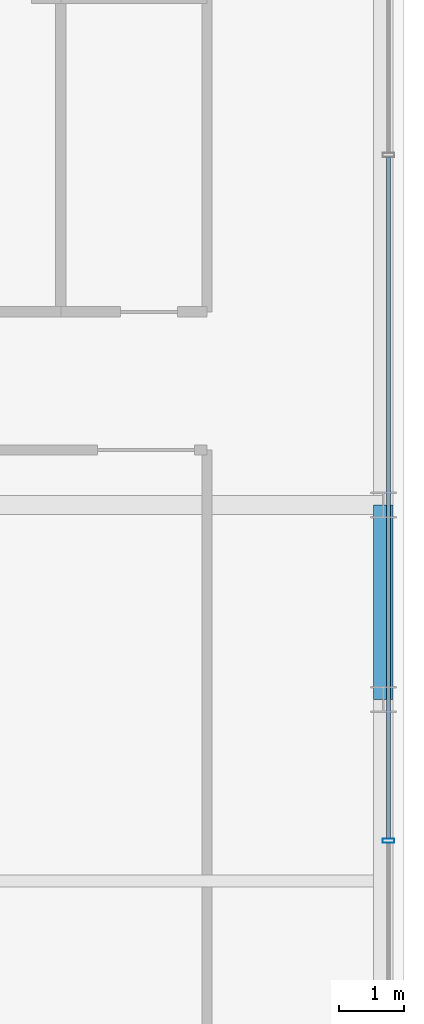
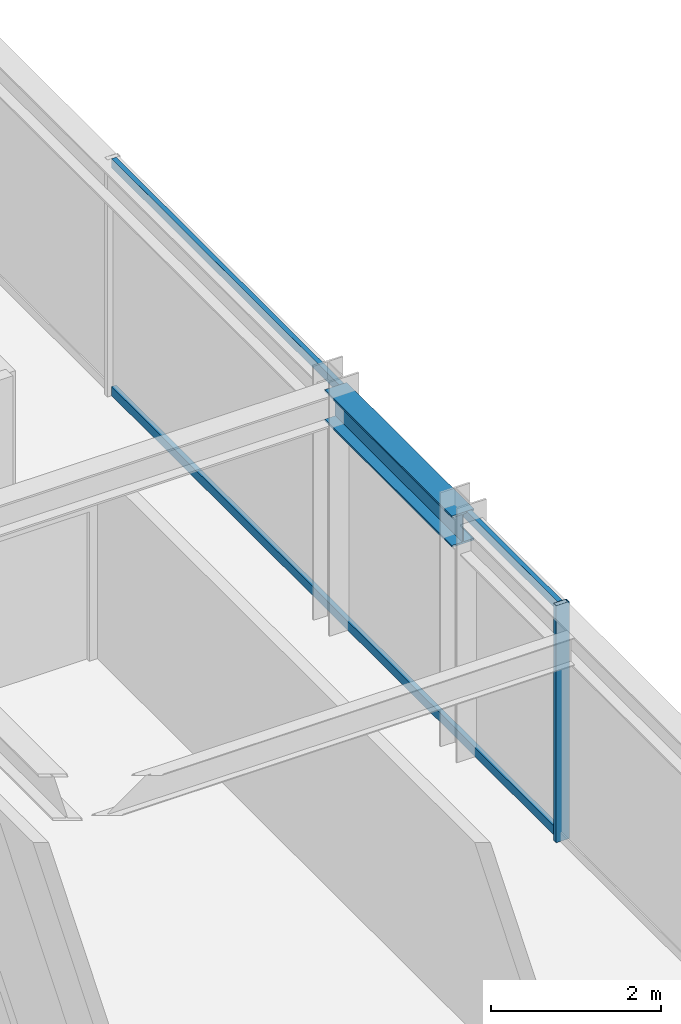
# One storey, part 15 of 32: 3 members, 1 beam, 1 element without a shape of its own.
"""IFC4 building model written with IfcOpenShell, lengths in metres."""

from ifc_helpers import new_model, si_unit, direction, frame, origin, origin_2d, place, context, subcontext, project, spatial, hollow_rectangle, i_section, extrude, source, transform, mapped, material, material_profile, profile_set, type_object, element, aggregate, save


model = new_model("IFC4")

# Units and contexts
model_context = context("Model", 3, precision=1e-05, world=origin(), true_north=direction((0.0, 1.0)))
body_context = subcontext(model_context, "Body", "Model", "MODEL_VIEW")
ifc_project = project(units=[si_unit("LENGTHUNIT", "METRE"), si_unit("AREAUNIT", "SQUARE_METRE"), si_unit("VOLUMEUNIT", "CUBIC_METRE"), si_unit("PLANEANGLEUNIT", "RADIAN"), si_unit("MASSUNIT", "GRAM", prefix="KILO")], contexts=[model_context])

# Site, building, storey
site_placement = place(None, origin())
site = spatial("IfcSite", under=ifc_project, at=site_placement, CompositionType="ELEMENT")
building_placement = place(site_placement, origin())
building = spatial("IfcBuilding", under=site, at=building_placement, Name="Nahalor Promenade Grand Hotel", CompositionType="ELEMENT")
storey_placement = place(building_placement, frame((0.0, 0.0, 230.800048828125)))
storey = spatial("IfcBuildingStorey", under=building, at=storey_placement, Name="L59", CompositionType="ELEMENT", Elevation=230.800048828125)

# Beam
ifc_material_1 = material(Name="Steel S355JR", Category="steel")
ifc_material_profile_1 = material_profile(ifc_material_1, i_section(OverallWidth=0.3, OverallDepth=0.45, WebThickness=0.014, FlangeThickness=0.026, at=origin_2d()), Name="HEB 450")
ifc_profile_set_1 = profile_set([ifc_material_profile_1], Name="Steel S355JR")
beam_type = type_object("IfcBeamType", Name="Beam-Spandrel-HEB450", PredefinedType="SPANDREL", material=ifc_profile_set_1)
shared_shape_1 = source(origin(), body_context, "Body", "SweptSolid", [
    extrude(i_section(OverallWidth=0.3, OverallDepth=0.45, WebThickness=0.014, FlangeThickness=0.026, at=origin_2d()), origin(), (0.0, 0.0, 1.0), 3.0),
])
beam_placement = place(storey_placement, frame((23.8798828125, -8.39990234375, 3.18505859375), z_axis=(0.0, 1.0, 0.0), x_axis=(-1.0, 0.0, 0.0)))
element("IfcBeam", 1, at=beam_placement, inside=storey, type_object=beam_type, Name="BM-L59-SP-E-1", PredefinedType="SPANDREL", context=body_context, shape_type="MappedRepresentation", body=[
    mapped(shared_shape_1, transform((0.0, 0.0, 0.0), scale=1.0)),
])

# Curtain wall, members
ifc_material_2 = material(Name="Anodised Bronze Aluminium EN AW-6063 T6", Category="aluminium")
curtain_wall_type = type_object("IfcCurtainWallType", Name="CW2 Typical Hotel Flush Bronze Unitised Curtain Wall", PredefinedType="USERDEFINED", material=ifc_material_2)
curtain_wall_placement = place(storey_placement, origin())
curtain_wall = element("IfcCurtainWall", 2, at=curtain_wall_placement, inside=storey, type_object=curtain_wall_type, Name="L59 Curtain Wall CW-L59-E-1", ObjectType="UNITISED_CURTAIN_WALL", PredefinedType="USERDEFINED")
ifc_material_profile_2 = material_profile(ifc_material_2, hollow_rectangle(XDim=0.065, YDim=0.13, WallThickness=0.004, at=origin_2d()), Name="CWT 65x130x4")
ifc_profile_set_2 = profile_set([ifc_material_profile_2], Name="Anodised Bronze Aluminium EN AW-6063 T6")
member_type_1 = type_object("IfcMemberType", Name="CWT2 Typical Bronze Transom 65x130", PredefinedType="USERDEFINED", material=ifc_profile_set_2)
shared_shape_2 = source(origin(), body_context, "Body", "SweptSolid", [
    extrude(hollow_rectangle(XDim=0.065, YDim=0.13, WallThickness=0.004, at=origin_2d()), origin(), (0.0, 0.0, 1.0), 10.51513671875),
])
member_1_placement = place(storey_placement, frame((23.9599609375, -10.547607421875, 0.06494140625), z_axis=(0.0, 1.0, 0.0), x_axis=(-1.0, 0.0, 0.0)))
member_1 = element("IfcMember", 3, at=member_1_placement, type_object=member_type_1, Name="CW-L59-E-1 Transom 1-0", ObjectType="TRANSOM", PredefinedType="USERDEFINED", context=body_context, shape_type="MappedRepresentation", body=[
    mapped(shared_shape_2, transform((0.0, 0.0, 0.0), scale=1.0)),
])
member_2_placement = place(storey_placement, frame((23.9599609375, -10.547607421875, 3.344970703125), z_axis=(0.0, 1.0, 0.0), x_axis=(-1.0, 0.0, 0.0)))
member_2 = element("IfcMember", 4, at=member_2_placement, type_object=member_type_1, Name="CW-L59-E-1 Transom 1-1", ObjectType="TRANSOM", PredefinedType="USERDEFINED", context=body_context, shape_type="MappedRepresentation", body=[
    mapped(shared_shape_2, transform((0.0, 0.0, 0.0), scale=1.0)),
])
ifc_material_profile_3 = material_profile(ifc_material_2, hollow_rectangle(XDim=0.065, YDim=0.18, WallThickness=0.004, at=origin_2d()), Name="CWM 65x180x4")
ifc_profile_set_3 = profile_set([ifc_material_profile_3], Name="Anodised Bronze Aluminium EN AW-6063 T6")
member_type_2 = type_object("IfcMemberType", Name="CWM2 Typical Bronze Mullion 65x180", PredefinedType="MULLION", material=ifc_profile_set_3)
shared_shape_3 = source(origin(), body_context, "Body", "SweptSolid", [
    extrude(hollow_rectangle(XDim=0.065, YDim=0.18, WallThickness=0.004, at=origin_2d()), origin(), (0.0, 0.0, 1.0), 3.409912109375),
])
member_3_placement = place(storey_placement, frame((23.9599609375, -10.580078125, 0.0), z_axis=(0.0, 0.0, 1.0), x_axis=(0.0, 1.0, 0.0)))
member_3 = element("IfcMember", 5, at=member_3_placement, type_object=member_type_2, Name="CW-L59-E-1 Mullion 1", PredefinedType="MULLION", context=body_context, shape_type="MappedRepresentation", body=[
    mapped(shared_shape_3, transform((0.0, 0.0, 0.0), scale=1.0)),
])
aggregate(curtain_wall, [member_3, member_1, member_2])

save(model, "model.ifc")
